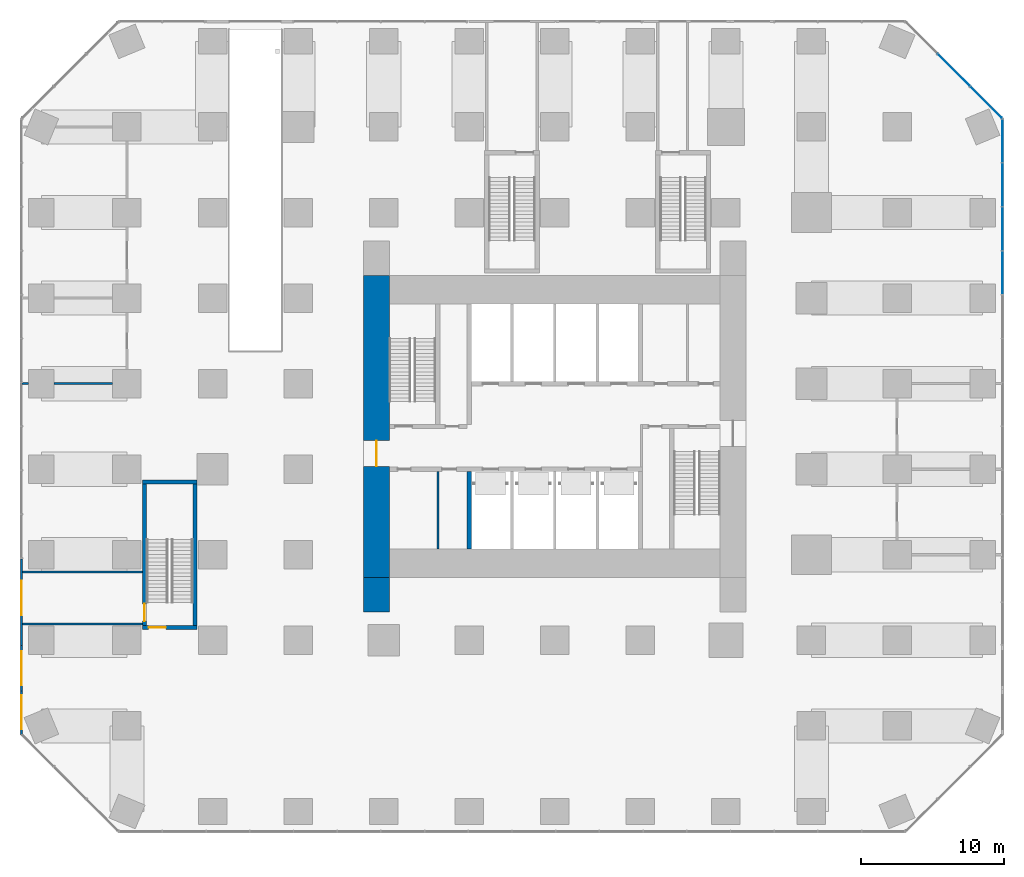
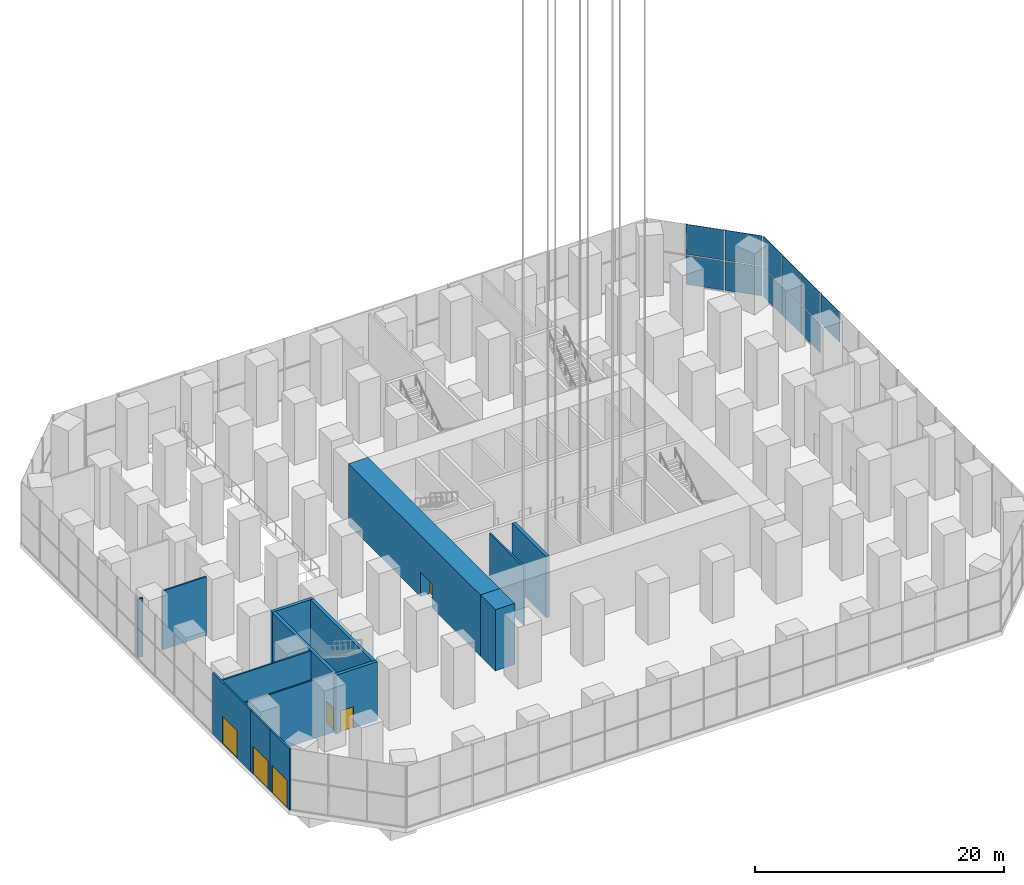
# One storey, part 12 of 21: 15 walls, 11 plates, 6 doors, 6 openings, 2 elements without a shape of their own.
"""IFC4 building model written with IfcOpenShell, lengths in metres."""

from ifc_helpers import new_model, si_unit, direction, frame, frame_2d, origin, origin_2d, place, context, subcontext, project, spatial, rectangle, extrude, material, layer, layer_set, type_object, element, fill, aggregate, save


model = new_model("IFC4")

# Units and contexts
model_context = context("Model", 3, precision=1e-05, world=origin(), true_north=direction((0.0, 1.0)))
body_context = subcontext(model_context, "Body", "Model", "MODEL_VIEW")
ifc_project = project(units=[si_unit("LENGTHUNIT", "METRE"), si_unit("AREAUNIT", "SQUARE_METRE"), si_unit("VOLUMEUNIT", "CUBIC_METRE"), si_unit("PLANEANGLEUNIT", "RADIAN"), si_unit("MASSUNIT", "GRAM", prefix="KILO")], contexts=[model_context])

# Site, building, storey
site_placement = place(None, origin())
site = spatial("IfcSite", under=ifc_project, at=site_placement, CompositionType="ELEMENT")
building_placement = place(site_placement, origin())
building = spatial("IfcBuilding", under=site, at=building_placement, Name="Highveld Stack Headquarters", CompositionType="ELEMENT")
storey_placement = place(building_placement, origin())
storey = spatial("IfcBuildingStorey", under=building, at=storey_placement, Name="L00", CompositionType="ELEMENT", Elevation=0.0)

# Curtain wall, plates
ifc_material_1 = material(Name="Aluminium bronze anodised", Category="aluminium")
ifc_layer_1 = layer(ifc_material_1, 0.199951171875)
ifc_layer_set_1 = layer_set([ifc_layer_1], Name="Aluminium bronze anodised")
curtain_wall_type = type_object("IfcCurtainWallType", Name="CW3 PODIUM STICK CURTAIN WALL", PredefinedType="NOTDEFINED", material=ifc_layer_set_1)
curtain_wall_1_placement = place(storey_placement, origin())
curtain_wall_1 = element("IfcCurtainWall", 1, at=curtain_wall_1_placement, inside=storey, type_object=curtain_wall_type, Name="Curtain wall CW3 L00 E", PredefinedType="NOTDEFINED")
ifc_material_2 = material(Name="Glass clear low-iron double glazed unit", Category="glass")
ifc_layer_2 = layer(ifc_material_2, 0.035888671875)
ifc_layer_set_2 = layer_set([ifc_layer_2], Name="Glass clear low-iron double glazed unit")
plate_type = type_object("IfcPlateType", Name="CW3 PANEL CLEAR LOW-IRON DOUBLE GLAZED UNIT", PredefinedType="CURTAIN_PANEL", material=ifc_layer_set_2)
plate_1_placement = place(storey_placement, frame((37.39990234375, 13.7900390625, 3.0498046875), z_axis=(0.0, 0.0, 1.0), x_axis=(0.0, 1.0, 0.0)))
plate_1 = element("IfcPlate", 2, at=plate_1_placement, type_object=plate_type, Name="CW3 panel L00 11.2", PredefinedType="CURTAIN_PANEL", context=body_context, shape_type="SweptSolid", body=[
    extrude(rectangle(XDim=3.017822265625, YDim=0.035888671875, at=origin_2d()), origin(), (0.0, 0.0, 1.0), 2.949951171875),
])
plate_2_placement = place(storey_placement, frame((37.39990234375, 16.872802734375, 0.099853515625), z_axis=(0.0, 0.0, 1.0), x_axis=(0.0, 1.0, 0.0)))
plate_2 = element("IfcPlate", 3, at=plate_2_placement, type_object=plate_type, Name="CW3 panel L00 12.1", PredefinedType="CURTAIN_PANEL", context=body_context, shape_type="SweptSolid", body=[
    extrude(rectangle(XDim=3.017822265625, YDim=0.035888671875, at=origin_2d()), origin(), (0.0, 0.0, 1.0), 2.85009765625),
])
plate_3_placement = place(storey_placement, frame((37.39990234375, 16.872802734375, 3.0498046875), z_axis=(0.0, 0.0, 1.0), x_axis=(0.0, 1.0, 0.0)))
plate_3 = element("IfcPlate", 4, at=plate_3_placement, type_object=plate_type, Name="CW3 panel L00 12.2", PredefinedType="CURTAIN_PANEL", context=body_context, shape_type="SweptSolid", body=[
    extrude(rectangle(XDim=3.017822265625, YDim=0.035888671875, at=origin_2d()), origin(), (0.0, 0.0, 1.0), 2.949951171875),
])
plate_4_placement = place(storey_placement, frame((37.39990234375, 19.95556640625, 0.099853515625), z_axis=(0.0, 0.0, 1.0), x_axis=(0.0, 1.0, 0.0)))
plate_4 = element("IfcPlate", 5, at=plate_4_placement, type_object=plate_type, Name="CW3 panel L00 13.1", PredefinedType="CURTAIN_PANEL", context=body_context, shape_type="SweptSolid", body=[
    extrude(rectangle(XDim=3.017822265625, YDim=0.035888671875, at=origin_2d()), origin(), (0.0, 0.0, 1.0), 2.85009765625),
])
plate_5_placement = place(storey_placement, frame((37.39990234375, 19.95556640625, 3.0498046875), z_axis=(0.0, 0.0, 1.0), x_axis=(0.0, 1.0, 0.0)))
plate_5 = element("IfcPlate", 6, at=plate_5_placement, type_object=plate_type, Name="CW3 panel L00 13.2", PredefinedType="CURTAIN_PANEL", context=body_context, shape_type="SweptSolid", body=[
    extrude(rectangle(XDim=3.017822265625, YDim=0.035888671875, at=origin_2d()), origin(), (0.0, 0.0, 1.0), 2.949951171875),
])
plate_6_placement = place(storey_placement, frame((37.39990234375, 23.022216796875, 0.099853515625), z_axis=(0.0, 0.0, 1.0), x_axis=(0.0, 1.0, 0.0)))
plate_6 = element("IfcPlate", 7, at=plate_6_placement, type_object=plate_type, Name="CW3 panel L00 14.1", PredefinedType="CURTAIN_PANEL", context=body_context, shape_type="SweptSolid", body=[
    extrude(rectangle(XDim=2.9853515625, YDim=0.035888671875, at=origin_2d()), origin(), (0.0, 0.0, 1.0), 2.85009765625),
])
plate_7_placement = place(storey_placement, frame((37.39990234375, 23.022216796875, 3.0498046875), z_axis=(0.0, 0.0, 1.0), x_axis=(0.0, 1.0, 0.0)))
plate_7 = element("IfcPlate", 8, at=plate_7_placement, type_object=plate_type, Name="CW3 panel L00 14.2", PredefinedType="CURTAIN_PANEL", context=body_context, shape_type="SweptSolid", body=[
    extrude(rectangle(XDim=2.9853515625, YDim=0.035888671875, at=origin_2d()), origin(), (0.0, 0.0, 1.0), 2.949951171875),
])
aggregate(curtain_wall_1, [plate_1, plate_2, plate_3, plate_4, plate_5, plate_6, plate_7])

curtain_wall_2_placement = place(storey_placement, origin())
curtain_wall_2 = element("IfcCurtainWall", 9, at=curtain_wall_2_placement, inside=storey, type_object=curtain_wall_type, Name="Curtain wall CW3 L00 NE", PredefinedType="NOTDEFINED")
plate_8_placement = place(storey_placement, frame((36.239501953125, 25.740478515625, 0.099853515625), z_axis=(0.0, 0.0, 1.0), x_axis=(-0.707106781187, 0.707106781187, 0.0)))
plate_8 = element("IfcPlate", 10, at=plate_8_placement, type_object=plate_type, Name="CW3 panel L00 1.1", PredefinedType="CURTAIN_PANEL", context=body_context, shape_type="SweptSolid", body=[
    extrude(rectangle(XDim=3.08251953125, YDim=0.035888671875, at=origin_2d()), origin(), (0.0, 0.0, 1.0), 2.85009765625),
])
plate_9_placement = place(storey_placement, frame((36.239501953125, 25.740478515625, 3.0498046875), z_axis=(0.0, 0.0, 1.0), x_axis=(-0.707106781187, 0.707106781187, 0.0)))
plate_9 = element("IfcPlate", 11, at=plate_9_placement, type_object=plate_type, Name="CW3 panel L00 1.2", PredefinedType="CURTAIN_PANEL", context=body_context, shape_type="SweptSolid", body=[
    extrude(rectangle(XDim=3.08251953125, YDim=0.035888671875, at=origin_2d()), origin(), (0.0, 0.0, 1.0), 2.949951171875),
])
plate_10_placement = place(storey_placement, frame((33.989990234375, 27.989990234375, 0.099853515625), z_axis=(0.0, 0.0, 1.0), x_axis=(-0.707106781187, 0.707106781187, 0.0)))
plate_10 = element("IfcPlate", 12, at=plate_10_placement, type_object=plate_type, Name="CW3 panel L00 2.1", PredefinedType="CURTAIN_PANEL", context=body_context, shape_type="SweptSolid", body=[
    extrude(rectangle(XDim=3.14990234375, YDim=0.035888671875, at=origin_2d()), origin(), (0.0, 0.0, 1.0), 2.85009765625),
])
plate_11_placement = place(storey_placement, frame((33.989990234375, 27.989990234375, 3.0498046875), z_axis=(0.0, 0.0, 1.0), x_axis=(-0.707106781187, 0.707106781187, 0.0)))
plate_11 = element("IfcPlate", 13, at=plate_11_placement, type_object=plate_type, Name="CW3 panel L00 2.2", PredefinedType="CURTAIN_PANEL", context=body_context, shape_type="SweptSolid", body=[
    extrude(rectangle(XDim=3.14990234375, YDim=0.035888671875, at=origin_2d()), origin(), (0.0, 0.0, 1.0), 2.949951171875),
])
aggregate(curtain_wall_2, [plate_8, plate_9, plate_10, plate_11])

# Wall, opening, door
ifc_material_3 = material(Name="Concrete C60/75", Category="concrete")
ifc_layer_3 = layer(ifc_material_3, 1.800048828125)
ifc_layer_set_3 = layer_set([ifc_layer_3], Name="Concrete C60/75")
wall_type_1 = type_object("IfcWallType", Name="CORE WALL 1800 C60/75", PredefinedType="SHEAR", material=ifc_layer_set_3)
wall_1_placement = place(storey_placement, frame((-6.5, -7.60009765625, 0.0), z_axis=(0.0, 0.0, 1.0), x_axis=(0.0, 1.0, 0.0)))
wall_1 = element("IfcWall", 14, at=wall_1_placement, inside=storey, type_object=wall_type_1, Name="Core wall W L00", PredefinedType="SHEAR", context=body_context, shape_type="SweptSolid", body=[
    extrude(rectangle(XDim=21.2001953125, YDim=1.800048828125, at=frame_2d((10.60009765625, 0.0))), origin(), (0.0, 0.0, 1.0), 6.0),
])
opening_1_placement = place(wall_1_placement, frame((7.800048828125, 0.0, 0.0)))
opening_1 = element("IfcOpeningElement", 15, at=opening_1_placement, cuts=wall_1, Name="Opening L00-07", PredefinedType="OPENING", context=body_context, shape_type="SweptSolid", body=[
    extrude(rectangle(XDim=1.800048828125, YDim=2.39990234375, at=frame_2d((0.89990234375, 1.199951171875))), frame((0.0, 0.909912109375, 0.0), z_axis=(0.0, -1.0, 0.0), x_axis=(1.0, 0.0, 0.0)), (0.0, 0.0, 1.0), 1.820068359375),
])
ifc_material_4 = material(Name="Steel fire door", Category="steel")
door_type_1 = type_object("IfcDoorType", Name="LOBBY FIRE DOOR D4 1800x2400", OperationType="DOUBLE_DOOR_SINGLE_SWING", PredefinedType="DOOR", material=ifc_material_4)
door_1_placement = place(opening_1_placement, origin())
door_1 = element("IfcDoor", 16, at=door_1_placement, inside=storey, type_object=door_type_1, Name="Core west door L00", OperationType="DOUBLE_DOOR_SINGLE_SWING", OverallHeight=2.39990234375, OverallWidth=1.800048828125, PredefinedType="DOOR", context=body_context, shape_type="SweptSolid", body=[
    extrude(rectangle(XDim=1.800048828125, YDim=2.39990234375, at=frame_2d((0.89990234375, 1.199951171875))), frame((0.0, 0.02490234375, 0.0), z_axis=(0.0, -1.0, 0.0), x_axis=(1.0, 0.0, 0.0)), (0.0, 0.0, 1.0), 0.050048828125),
])
fill(opening_1, door_1)

# Walls
ifc_material_5 = material(Name="Concrete C60/75", Category="concrete")
ifc_layer_4 = layer(ifc_material_5, 0.300048828125)
ifc_layer_set_4 = layer_set([ifc_layer_4], Name="Concrete C60/75")
wall_type_2 = type_object("IfcWallType", Name="CORE WALL 300 C60/75", PredefinedType="SHEAR", material=ifc_layer_set_4)
wall_2_placement = place(storey_placement, frame((0.0, -5.60009765625, 0.0), z_axis=(0.0, 0.0, 1.0), x_axis=(0.0, 1.0, 0.0)))
element("IfcWall", 17, at=wall_2_placement, inside=storey, type_object=wall_type_2, Name="Core wall I-X0S L00", PredefinedType="SHEAR", context=body_context, shape_type="SweptSolid", body=[
    extrude(rectangle(XDim=5.4501953125, YDim=0.300048828125, at=frame_2d((2.72509765625, 0.0))), origin(), (0.0, 0.0, 1.0), 6.0),
])
ifc_material_6 = material(Name="Concrete C60/75", Category="concrete")
ifc_layer_5 = layer(ifc_material_6, 1.800048828125)
ifc_layer_set_5 = layer_set([ifc_layer_5], Name="Concrete C60/75")
wall_type_3 = type_object("IfcWallType", Name="CORE WING WALL 1800 C60/75", PredefinedType="SHEAR", material=ifc_layer_set_5)
wall_3_placement = place(storey_placement, frame((-6.5, -10.0, 0.0), z_axis=(0.0, 0.0, 1.0), x_axis=(0.0, 1.0, 0.0)))
element("IfcWall", 18, at=wall_3_placement, inside=storey, type_object=wall_type_3, Name="Core wing wall WS L00", PredefinedType="SHEAR", context=body_context, shape_type="SweptSolid", body=[
    extrude(rectangle(XDim=2.39990234375, YDim=1.800048828125, at=frame_2d((1.199951171875, 0.0))), origin(), (0.0, 0.0, 1.0), 6.0),
])
ifc_material_7 = material(Name="Concrete blockwork, plastered", Category="masonry")
ifc_layer_6 = layer(ifc_material_7, 0.14990234375)
ifc_layer_set_6 = layer_set([ifc_layer_6], Name="Concrete blockwork, plastered")
wall_type_4 = type_object("IfcWallType", Name="FIRE PARTITION 150 BLOCKWORK", PredefinedType="PARTITIONING", material=ifc_layer_set_6)
for number, where, z_axis, x_axis, name in (
    (19, (-31.324951171875, -10.85009765625, 0.0), (0.0, 0.0, 1.0), (1.0, 0.0, 0.0), "Partition Exit passage PS1 L00"),
    (20, (-31.324951171875, -7.199951171875, 0.0), (0.0, 0.0, 1.0), (1.0, 0.0, 0.0), "Partition Exit passage PS1 L00"),
):
    element("IfcWall", number, at=place(storey_placement, frame(where, z_axis=z_axis, x_axis=x_axis)), inside=storey, type_object=wall_type_4, Name=name, PredefinedType="PARTITIONING", context=body_context, shape_type="SweptSolid", body=[
        extrude(rectangle(XDim=8.39990234375, YDim=0.14990234375, at=frame_2d((4.199951171875, 0.0))), origin(), (0.0, 0.0, 1.0), 5.75),
    ])

# Wall, opening, door
ifc_material_8 = material(Name="Aluminium framed glazed screen", Category="aluminium")
ifc_layer_7 = layer(ifc_material_8, 0.14990234375)
ifc_layer_set_7 = layer_set([ifc_layer_7], Name="Aluminium framed glazed screen")
wall_type_5 = type_object("IfcWallType", Name="GLAZED DOOR SCREEN 150", PredefinedType="USERDEFINED", material=ifc_layer_set_7)
wall_4_placement = place(storey_placement, frame((-31.39990234375, -15.53955078125, 0.0), z_axis=(0.0, 0.0, 1.0), x_axis=(0.0, 1.0, 0.0)))
wall_4 = element("IfcWall", 21, at=wall_4_placement, inside=storey, type_object=wall_type_5, Name="Glazed door screen L00 W", ObjectType="GLAZED SCREEN", PredefinedType="USERDEFINED", context=body_context, shape_type="SweptSolid", body=[
    extrude(rectangle(XDim=3.16796875, YDim=0.14990234375, at=frame_2d((1.583984375, 0.0))), origin(), (0.0, 0.0, 1.0), 6.0),
])
opening_2_placement = place(wall_4_placement, frame((0.384033203125, 0.0, 0.0)))
opening_2 = element("IfcOpeningElement", 22, at=opening_2_placement, cuts=wall_4, Name="Opening L00-05", PredefinedType="OPENING", context=body_context, shape_type="SweptSolid", body=[
    extrude(rectangle(XDim=2.39990234375, YDim=2.699951171875, at=frame_2d((1.199951171875, 1.35009765625))), frame((0.0, 0.0849609375, 0.0), z_axis=(0.0, -1.0, 0.0), x_axis=(1.0, 0.0, 0.0)), (0.0, 0.0, 1.0), 0.169921875),
])
ifc_material_9 = material(Name="Aluminium framed glass door", Category="aluminium")
door_type_2 = type_object("IfcDoorType", Name="ENTRANCE DOOR D9 2400x2700", OperationType="DOUBLE_DOOR_SINGLE_SWING", PredefinedType="DOOR", material=ifc_material_9)
door_2_placement = place(opening_2_placement, origin())
door_2 = element("IfcDoor", 23, at=door_2_placement, inside=storey, type_object=door_type_2, Name="Entrance door L00 W", OperationType="DOUBLE_DOOR_SINGLE_SWING", OverallHeight=2.699951171875, OverallWidth=2.39990234375, PredefinedType="DOOR", context=body_context, shape_type="SweptSolid", body=[
    extrude(rectangle(XDim=2.39990234375, YDim=2.699951171875, at=frame_2d((1.199951171875, 1.35009765625))), frame((0.0, 0.02490234375, 0.0), z_axis=(0.0, -1.0, 0.0), x_axis=(1.0, 0.0, 0.0)), (0.0, 0.0, 1.0), 0.050048828125),
])
fill(opening_2, door_2)

wall_5_placement = place(storey_placement, frame((-31.39990234375, -18.6474609375, 0.0), z_axis=(0.0, 0.0, 1.0), x_axis=(0.0, 1.0, 0.0)))
wall_5 = element("IfcWall", 24, at=wall_5_placement, inside=storey, type_object=wall_type_5, Name="Glazed door screen L00 W", ObjectType="GLAZED SCREEN", PredefinedType="USERDEFINED", context=body_context, shape_type="SweptSolid", body=[
    extrude(rectangle(XDim=3.19287109375, YDim=0.14990234375, at=frame_2d((1.596435546875, 0.0))), origin(), (0.0, 0.0, 1.0), 6.0),
])
opening_3_placement = place(wall_5_placement, frame((0.408935546875, 0.0, 0.0)))
opening_3 = element("IfcOpeningElement", 25, at=opening_3_placement, cuts=wall_5, Name="Opening L00-06", PredefinedType="OPENING", context=body_context, shape_type="SweptSolid", body=[
    extrude(rectangle(XDim=2.39990234375, YDim=2.699951171875, at=frame_2d((1.199951171875, 1.35009765625))), frame((0.0, 0.0849609375, 0.0), z_axis=(0.0, -1.0, 0.0), x_axis=(1.0, 0.0, 0.0)), (0.0, 0.0, 1.0), 0.169921875),
])
door_3_placement = place(opening_3_placement, origin())
door_3 = element("IfcDoor", 26, at=door_3_placement, inside=storey, type_object=door_type_2, Name="Entrance door L00 W", OperationType="DOUBLE_DOOR_SINGLE_SWING", OverallHeight=2.699951171875, OverallWidth=2.39990234375, PredefinedType="DOOR", context=body_context, shape_type="SweptSolid", body=[
    extrude(rectangle(XDim=2.39990234375, YDim=2.699951171875, at=frame_2d((1.199951171875, 1.35009765625))), frame((0.0, 0.02490234375, 0.0), z_axis=(0.0, -1.0, 0.0), x_axis=(1.0, 0.0, 0.0)), (0.0, 0.0, 1.0), 0.050048828125),
])
fill(opening_3, door_3)

wall_6_placement = place(storey_placement, frame((-31.39990234375, -12.381591796875, 0.0), z_axis=(0.0, 0.0, 1.0), x_axis=(0.0, 1.0, 0.0)))
wall_6 = element("IfcWall", 27, at=wall_6_placement, inside=storey, type_object=wall_type_5, Name="Glazed door screen L00 W", ObjectType="GLAZED SCREEN", PredefinedType="USERDEFINED", context=body_context, shape_type="SweptSolid", body=[
    extrude(rectangle(XDim=6.1005859375, YDim=0.14990234375, at=frame_2d((3.05029296875, 0.0))), origin(), (0.0, 0.0, 1.0), 6.0),
])
opening_4_placement = place(wall_6_placement, frame((2.15673828125, 0.0, 0.0)))
opening_4 = element("IfcOpeningElement", 28, at=opening_4_placement, cuts=wall_6, Name="Opening L00-28", PredefinedType="OPENING", context=body_context, shape_type="SweptSolid", body=[
    extrude(rectangle(XDim=2.39990234375, YDim=2.699951171875, at=frame_2d((1.199951171875, 1.35009765625))), frame((0.0, 0.0849609375, 0.0), z_axis=(0.0, -1.0, 0.0), x_axis=(1.0, 0.0, 0.0)), (0.0, 0.0, 1.0), 0.169921875),
])
door_4_placement = place(opening_4_placement, origin())
door_4 = element("IfcDoor", 29, at=door_4_placement, inside=storey, type_object=door_type_2, Name="Exit door L00 W", OperationType="DOUBLE_DOOR_SINGLE_SWING", OverallHeight=2.699951171875, OverallWidth=2.39990234375, PredefinedType="DOOR", context=body_context, shape_type="SweptSolid", body=[
    extrude(rectangle(XDim=2.39990234375, YDim=2.699951171875, at=frame_2d((1.199951171875, 1.35009765625))), frame((0.0, 0.02490234375, 0.0), z_axis=(0.0, -1.0, 0.0), x_axis=(1.0, 0.0, 0.0)), (0.0, 0.0, 1.0), 0.050048828125),
])
fill(opening_4, door_4)

# Walls
ifc_material_10 = material(Name="Gypsum plasterboard on steel studs", Category="steel")
ifc_layer_8 = layer(ifc_material_10, 0.14990234375)
ifc_layer_set_8 = layer_set([ifc_layer_8], Name="Gypsum plasterboard on steel studs")
wall_type_6 = type_object("IfcWallType", Name="PARTITION 150 PLASTERBOARD", PredefinedType="PARTITIONING", material=ifc_layer_set_8)
wall_7_placement = place(storey_placement, frame((-31.35009765625, 6.0, 0.0), z_axis=(0.0, 0.0, 1.0), x_axis=(1.0, 0.0, 0.0)))
element("IfcWall", 30, at=wall_7_placement, inside=storey, type_object=wall_type_6, Name="Partition Mail room L00", PredefinedType="PARTITIONING", context=body_context, shape_type="SweptSolid", body=[
    extrude(rectangle(XDim=0.4501953125, YDim=0.14990234375, at=frame_2d((0.22509765625, 0.0))), origin(), (0.0, 0.0, 1.0), 5.75),
])
wall_8_placement = place(storey_placement, frame((-29.10009765625, 6.0, 0.0), z_axis=(0.0, 0.0, 1.0), x_axis=(1.0, 0.0, 0.0)))
element("IfcWall", 31, at=wall_8_placement, inside=storey, type_object=wall_type_6, Name="Partition Mail room L00", PredefinedType="PARTITIONING", context=body_context, shape_type="SweptSolid", body=[
    extrude(rectangle(XDim=4.10009765625, YDim=0.14990234375, at=frame_2d((2.050048828125, 0.0))), origin(), (0.0, 0.0, 1.0), 5.75),
])

# Wall, opening, door
ifc_material_11 = material(Name="Concrete C40/50", Category="concrete")
ifc_layer_9 = layer(ifc_material_11, 0.300048828125)
ifc_layer_set_9 = layer_set([ifc_layer_9], Name="Concrete C40/50")
wall_type_7 = type_object("IfcWallType", Name="STAIR ENCLOSURE WALL 300", PredefinedType="SOLIDWALL", material=ifc_layer_set_9)
wall_9_placement = place(storey_placement, frame((-22.925048828125, -11.10009765625, 0.0), z_axis=(0.0, 0.0, 1.0), x_axis=(1.0, 0.0, 0.0)))
wall_9 = element("IfcWall", 32, at=wall_9_placement, inside=storey, type_object=wall_type_7, Name="Stair PS1 enclosure S L00", PredefinedType="SOLIDWALL", context=body_context, shape_type="SweptSolid", body=[
    extrude(rectangle(XDim=3.85009765625, YDim=0.300048828125, at=frame_2d((1.925048828125, 0.0))), origin(), (0.0, 0.0, 1.0), 5.75),
])
opening_5_placement = place(wall_9_placement, frame((0.449951171875, 0.0, 0.0)))
opening_5 = element("IfcOpeningElement", 33, at=opening_5_placement, cuts=wall_9, Name="Opening L00-17", PredefinedType="OPENING", context=body_context, shape_type="SweptSolid", body=[
    extrude(rectangle(XDim=1.199951171875, YDim=2.10009765625, at=frame_2d((0.60009765625, 1.050048828125))), frame((0.0, 0.159912109375, 0.0), z_axis=(0.0, -1.0, 0.0), x_axis=(1.0, 0.0, 0.0)), (0.0, 0.0, 1.0), 0.320068359375),
])
ifc_material_12 = material(Name="Steel fire door", Category="steel")
door_type_3 = type_object("IfcDoorType", Name="STAIR FIRE DOOR D3 1200x2100", OperationType="SINGLE_SWING_LEFT", PredefinedType="DOOR", material=ifc_material_12)
door_5_placement = place(opening_5_placement, origin())
door_5 = element("IfcDoor", 34, at=door_5_placement, inside=storey, type_object=door_type_3, Name="Stair PS1 door L00", OperationType="SINGLE_SWING_LEFT", OverallHeight=2.10009765625, OverallWidth=1.199951171875, PredefinedType="DOOR", context=body_context, shape_type="SweptSolid", body=[
    extrude(rectangle(XDim=1.199951171875, YDim=2.10009765625, at=frame_2d((0.60009765625, 1.050048828125))), frame((0.0, 0.02490234375, 0.0), z_axis=(0.0, -1.0, 0.0), x_axis=(1.0, 0.0, 0.0)), (0.0, 0.0, 1.0), 0.050048828125),
])
fill(opening_5, door_5)

# Wall
wall_10_placement = place(storey_placement, frame((-22.925048828125, -0.89990234375, 0.0), z_axis=(0.0, 0.0, 1.0), x_axis=(1.0, 0.0, 0.0)))
element("IfcWall", 35, at=wall_10_placement, inside=storey, type_object=wall_type_7, Name="Stair PS1 enclosure N L00", PredefinedType="SOLIDWALL", context=body_context, shape_type="SweptSolid", body=[
    extrude(rectangle(XDim=3.85009765625, YDim=0.300048828125, at=frame_2d((1.925048828125, 0.0))), origin(), (0.0, 0.0, 1.0), 5.75),
])

# Wall, opening, door
wall_11_placement = place(storey_placement, frame((-22.77490234375, -10.949951171875, 0.0), z_axis=(0.0, 0.0, 1.0), x_axis=(0.0, 1.0, 0.0)))
wall_11 = element("IfcWall", 36, at=wall_11_placement, inside=storey, type_object=wall_type_7, Name="Stair PS1 enclosure W L00", PredefinedType="SOLIDWALL", context=body_context, shape_type="SweptSolid", body=[
    extrude(rectangle(XDim=9.89990234375, YDim=0.300048828125, at=frame_2d((4.949951171875, 0.0))), origin(), (0.0, 0.0, 1.0), 5.75),
])
opening_6_placement = place(wall_11_placement, frame((0.300048828125, 0.0, 0.0)))
opening_6 = element("IfcOpeningElement", 37, at=opening_6_placement, cuts=wall_11, Name="Opening L00-27", PredefinedType="OPENING", context=body_context, shape_type="SweptSolid", body=[
    extrude(rectangle(XDim=1.199951171875, YDim=2.10009765625, at=frame_2d((0.60009765625, 1.050048828125))), frame((0.0, 0.159912109375, 0.0), z_axis=(0.0, -1.0, 0.0), x_axis=(1.0, 0.0, 0.0)), (0.0, 0.0, 1.0), 0.320068359375),
])
door_6_placement = place(opening_6_placement, origin())
door_6 = element("IfcDoor", 38, at=door_6_placement, inside=storey, type_object=door_type_3, Name="Stair PS1 exit door L00", OperationType="SINGLE_SWING_LEFT", OverallHeight=2.10009765625, OverallWidth=1.199951171875, PredefinedType="DOOR", context=body_context, shape_type="SweptSolid", body=[
    extrude(rectangle(XDim=1.199951171875, YDim=2.10009765625, at=frame_2d((0.60009765625, 1.050048828125))), frame((0.0, 0.02490234375, 0.0), z_axis=(0.0, -1.0, 0.0), x_axis=(1.0, 0.0, 0.0)), (0.0, 0.0, 1.0), 0.050048828125),
])
fill(opening_6, door_6)

# Walls
wall_12_placement = place(storey_placement, frame((-19.22509765625, -10.949951171875, 0.0), z_axis=(0.0, 0.0, 1.0), x_axis=(0.0, 1.0, 0.0)))
element("IfcWall", 39, at=wall_12_placement, inside=storey, type_object=wall_type_7, Name="Stair PS1 enclosure E L00", PredefinedType="SOLIDWALL", context=body_context, shape_type="SweptSolid", body=[
    extrude(rectangle(XDim=9.89990234375, YDim=0.300048828125, at=frame_2d((4.949951171875, 0.0))), origin(), (0.0, 0.0, 1.0), 5.75),
])
ifc_material_13 = material(Name="Concrete blockwork, tiled", Category="masonry")
ifc_layer_10 = layer(ifc_material_13, 0.14990234375)
ifc_layer_set_10 = layer_set([ifc_layer_10], Name="Concrete blockwork, tiled")
wall_type_8 = type_object("IfcWallType", Name="WC PARTITION 150", PredefinedType="PLUMBINGWALL", material=ifc_layer_set_10)
wall_13_placement = place(storey_placement, frame((-2.199951171875, -5.60009765625, 0.0), z_axis=(0.0, 0.0, 1.0), x_axis=(0.0, 1.0, 0.0)))
element("IfcWall", 40, at=wall_13_placement, inside=storey, type_object=wall_type_8, Name="Toilet partition L00", PredefinedType="PLUMBINGWALL", context=body_context, shape_type="SweptSolid", body=[
    extrude(rectangle(XDim=5.4501953125, YDim=0.14990234375, at=frame_2d((2.72509765625, 0.0))), origin(), (0.0, 0.0, 1.0), 5.75),
])

save(model, "model.ifc")
